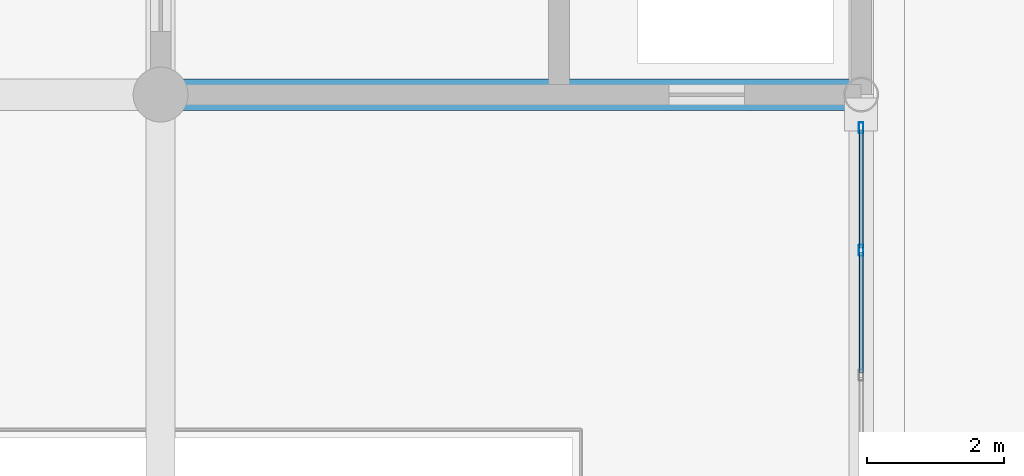
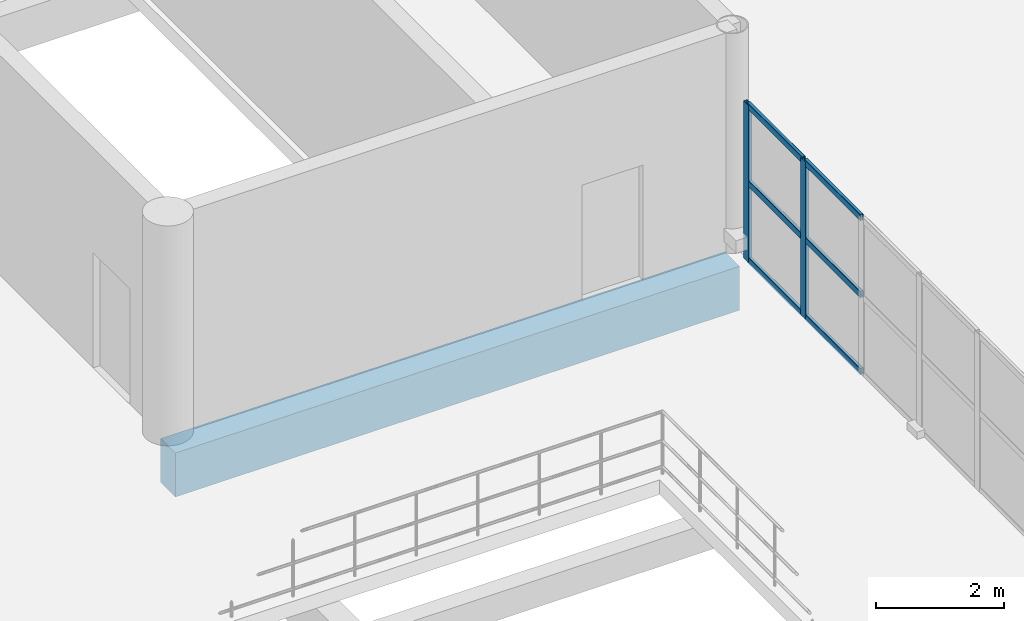
# One storey, part 77 of 157: 8 members, 1 beam, 1 element without a shape of its own.
"""IFC4 building model written with IfcOpenShell, lengths in metres."""

from ifc_helpers import new_model, si_unit, direction, frame, origin, origin_2d, place, context, subcontext, project, spatial, rectangle, hollow_rectangle, extrude, material, material_profile, profile_set, type_object, element, aggregate, save


model = new_model("IFC4")

# Units and contexts
model_context = context("Model", 3, precision=1e-05, world=origin(), true_north=direction((0.0, 1.0)))
body_context = subcontext(model_context, "Body", "Model", "MODEL_VIEW")
ifc_project = project(units=[si_unit("LENGTHUNIT", "METRE"), si_unit("AREAUNIT", "SQUARE_METRE"), si_unit("VOLUMEUNIT", "CUBIC_METRE"), si_unit("PLANEANGLEUNIT", "RADIAN"), si_unit("MASSUNIT", "GRAM", prefix="KILO")], contexts=[model_context])

# Site, building, storey
site_placement = place(None, origin())
site = spatial("IfcSite", under=ifc_project, at=site_placement, CompositionType="ELEMENT")
building_placement = place(site_placement, origin())
building = spatial("IfcBuilding", under=site, at=building_placement, Name="Brelvane Convention Centre", CompositionType="ELEMENT")
storey_placement = place(building_placement, frame((0.0, 0.0, 10.800048828125)))
storey = spatial("IfcBuildingStorey", under=building, at=storey_placement, Name="L02", CompositionType="ELEMENT", Elevation=10.800048828125)

# Curtain wall, members
ifc_material_1 = material(Name="Anodised Aluminium Alloy 6063-T6", Category="aluminium")
curtain_wall_type = type_object("IfcCurtainWallType", Name="Curtain Wall CW-CONC", PredefinedType="USERDEFINED", material=ifc_material_1)
curtain_wall_placement = place(storey_placement, origin())
curtain_wall = element("IfcCurtainWall", 1, at=curtain_wall_placement, inside=storey, type_object=curtain_wall_type, Name="Curtain Wall CW-CONC L02-GAL-ATRIUM-E-3", ObjectType="UNITISED", PredefinedType="USERDEFINED")
ifc_material_2 = material(Name="Anodised Aluminium Alloy 6063-T6", Category="aluminium")
ifc_material_profile_1 = material_profile(ifc_material_2, hollow_rectangle(XDim=0.06494140625, YDim=0.159912109375, WallThickness=0.00390625, InnerFilletRadius=0.00390625, OuterFilletRadius=0.008056640625, at=origin_2d()), Name="ALU-M 160x65x4.0")
ifc_profile_set_1 = profile_set([ifc_material_profile_1], Name="Anodised Aluminium Alloy 6063-T6")
member_type_1 = type_object("IfcMemberType", Name="Curtain Mullion CW-M3", PredefinedType="MULLION", material=ifc_profile_set_1)
member_1_placement = place(storey_placement, frame((163.199951171875, 73.7333984375, 0.0), z_axis=(0.0, 0.0, 1.0), x_axis=(-1.0, 0.0, 0.0)))
member_1 = element("IfcMember", 2, at=member_1_placement, type_object=member_type_1, Name="CW-CONC mullion 6", PredefinedType="MULLION", context=body_context, shape_type="SweptSolid", body=[
    extrude(hollow_rectangle(XDim=0.06494140625, YDim=0.159912109375, WallThickness=0.00390625, InnerFilletRadius=0.00390625, OuterFilletRadius=0.008056640625, at=origin_2d()), origin(), (0.0, 0.0, 1.0), 3.0),
])
member_2_placement = place(storey_placement, frame((163.199951171875, 75.517578125, 0.0), z_axis=(0.0, 0.0, 1.0), x_axis=(-1.0, 0.0, 0.0)))
member_2 = element("IfcMember", 3, at=member_2_placement, type_object=member_type_1, Name="CW-CONC mullion 7", PredefinedType="MULLION", context=body_context, shape_type="SweptSolid", body=[
    extrude(hollow_rectangle(XDim=0.06494140625, YDim=0.159912109375, WallThickness=0.00390625, InnerFilletRadius=0.00390625, OuterFilletRadius=0.008056640625, at=origin_2d()), origin(), (0.0, 0.0, 1.0), 3.0),
])
ifc_material_3 = material(Name="Anodised Aluminium Alloy 6063-T6", Category="aluminium")
ifc_material_profile_2 = material_profile(ifc_material_3, hollow_rectangle(XDim=0.06005859375, YDim=0.1201171875, WallThickness=0.00390625, InnerFilletRadius=0.00390625, OuterFilletRadius=0.008056640625, at=origin_2d()), Name="ALU-T 120x60x4.0")
ifc_profile_set_2 = profile_set([ifc_material_profile_2], Name="Anodised Aluminium Alloy 6063-T6")
member_type_2 = type_object("IfcMemberType", Name="Curtain Transom CW-T3", PredefinedType="USERDEFINED", material=ifc_profile_set_2)
member_3_placement = place(storey_placement, frame((163.199951171875, 71.94921875, 0.030029296875), z_axis=(0.0, 1.0, 0.0), x_axis=(-1.0, 0.0, 0.0)))
member_3 = element("IfcMember", 4, at=member_3_placement, type_object=member_type_2, Name="CW-CONC transom 5.1", ObjectType="TRANSOM", PredefinedType="USERDEFINED", context=body_context, shape_type="SweptSolid", body=[
    extrude(hollow_rectangle(XDim=0.06005859375, YDim=0.1201171875, WallThickness=0.00390625, InnerFilletRadius=0.00390625, OuterFilletRadius=0.008056640625, at=origin_2d()), origin(), (0.0, 0.0, 1.0), 1.751708984375),
])
member_4_placement = place(storey_placement, frame((163.199951171875, 71.94921875, 1.5), z_axis=(0.0, 1.0, 0.0), x_axis=(-1.0, 0.0, 0.0)))
member_4 = element("IfcMember", 5, at=member_4_placement, type_object=member_type_2, Name="CW-CONC transom 5.2", ObjectType="TRANSOM", PredefinedType="USERDEFINED", context=body_context, shape_type="SweptSolid", body=[
    extrude(hollow_rectangle(XDim=0.06005859375, YDim=0.1201171875, WallThickness=0.00390625, InnerFilletRadius=0.00390625, OuterFilletRadius=0.008056640625, at=origin_2d()), origin(), (0.0, 0.0, 1.0), 1.751708984375),
])
member_5_placement = place(storey_placement, frame((163.199951171875, 71.94921875, 2.969970703125), z_axis=(0.0, 1.0, 0.0), x_axis=(-1.0, 0.0, 0.0)))
member_5 = element("IfcMember", 6, at=member_5_placement, type_object=member_type_2, Name="CW-CONC transom 5.3", ObjectType="TRANSOM", PredefinedType="USERDEFINED", context=body_context, shape_type="SweptSolid", body=[
    extrude(hollow_rectangle(XDim=0.06005859375, YDim=0.1201171875, WallThickness=0.00390625, InnerFilletRadius=0.00390625, OuterFilletRadius=0.008056640625, at=origin_2d()), origin(), (0.0, 0.0, 1.0), 1.751708984375),
])
member_6_placement = place(storey_placement, frame((163.199951171875, 73.765869140625, 0.030029296875), z_axis=(0.0, 1.0, 0.0), x_axis=(-1.0, 0.0, 0.0)))
member_6 = element("IfcMember", 7, at=member_6_placement, type_object=member_type_2, Name="CW-CONC transom 6.1", ObjectType="TRANSOM", PredefinedType="USERDEFINED", context=body_context, shape_type="SweptSolid", body=[
    extrude(hollow_rectangle(XDim=0.06005859375, YDim=0.1201171875, WallThickness=0.00390625, InnerFilletRadius=0.00390625, OuterFilletRadius=0.008056640625, at=origin_2d()), origin(), (0.0, 0.0, 1.0), 1.71923828125),
])
member_7_placement = place(storey_placement, frame((163.199951171875, 73.765869140625, 1.5), z_axis=(0.0, 1.0, 0.0), x_axis=(-1.0, 0.0, 0.0)))
member_7 = element("IfcMember", 8, at=member_7_placement, type_object=member_type_2, Name="CW-CONC transom 6.2", ObjectType="TRANSOM", PredefinedType="USERDEFINED", context=body_context, shape_type="SweptSolid", body=[
    extrude(hollow_rectangle(XDim=0.06005859375, YDim=0.1201171875, WallThickness=0.00390625, InnerFilletRadius=0.00390625, OuterFilletRadius=0.008056640625, at=origin_2d()), origin(), (0.0, 0.0, 1.0), 1.71923828125),
])
member_8_placement = place(storey_placement, frame((163.199951171875, 73.765869140625, 2.969970703125), z_axis=(0.0, 1.0, 0.0), x_axis=(-1.0, 0.0, 0.0)))
member_8 = element("IfcMember", 9, at=member_8_placement, type_object=member_type_2, Name="CW-CONC transom 6.3", ObjectType="TRANSOM", PredefinedType="USERDEFINED", context=body_context, shape_type="SweptSolid", body=[
    extrude(hollow_rectangle(XDim=0.06005859375, YDim=0.1201171875, WallThickness=0.00390625, InnerFilletRadius=0.00390625, OuterFilletRadius=0.008056640625, at=origin_2d()), origin(), (0.0, 0.0, 1.0), 1.71923828125),
])
aggregate(curtain_wall, [member_1, member_2, member_3, member_4, member_5, member_6, member_7, member_8])

# Beam
ifc_material_4 = material(Name="Concrete M40", Category="concrete")
ifc_material_profile_3 = material_profile(ifc_material_4, rectangle(XDim=0.4599609375, YDim=0.840087890625, at=origin_2d()), Name="RC 460x840")
ifc_profile_set_3 = profile_set([ifc_material_profile_3], Name="Concrete M40")
beam_type = type_object("IfcBeamType", Name="RC Beam B-RC11 (RC 460x840)", PredefinedType="BEAM", material=ifc_profile_set_3)
beam_placement = place(storey_placement, frame((153.0, 76.0, -0.699951171875), z_axis=(1.0, 0.0, 0.0), x_axis=(0.0, 1.0, 0.0)))
element("IfcBeam", 10, at=beam_placement, inside=storey, type_object=beam_type, Name="L02 Beam 16-17/H", PredefinedType="BEAM", context=body_context, shape_type="SweptSolid", body=[
    extrude(rectangle(XDim=0.4599609375, YDim=0.840087890625, at=origin_2d()), origin(), (0.0, 0.0, 1.0), 10.199951171875),
])

save(model, "model.ifc")
